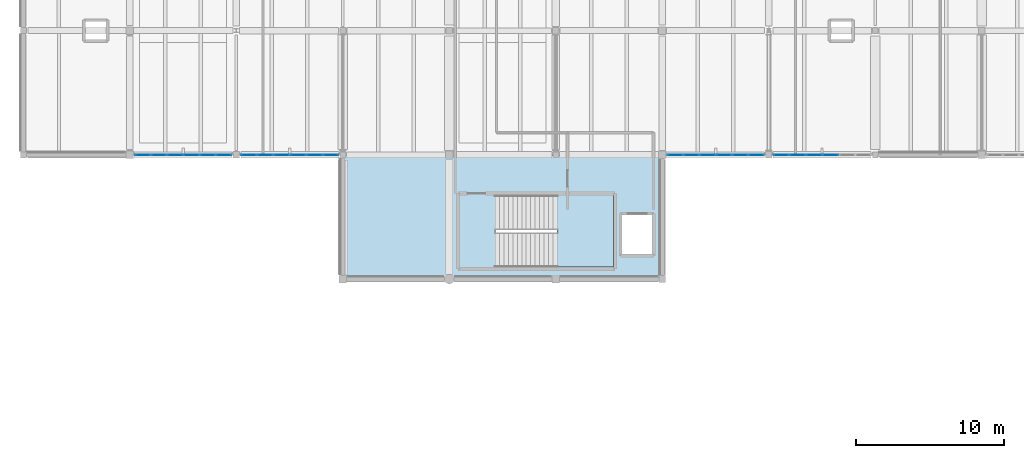
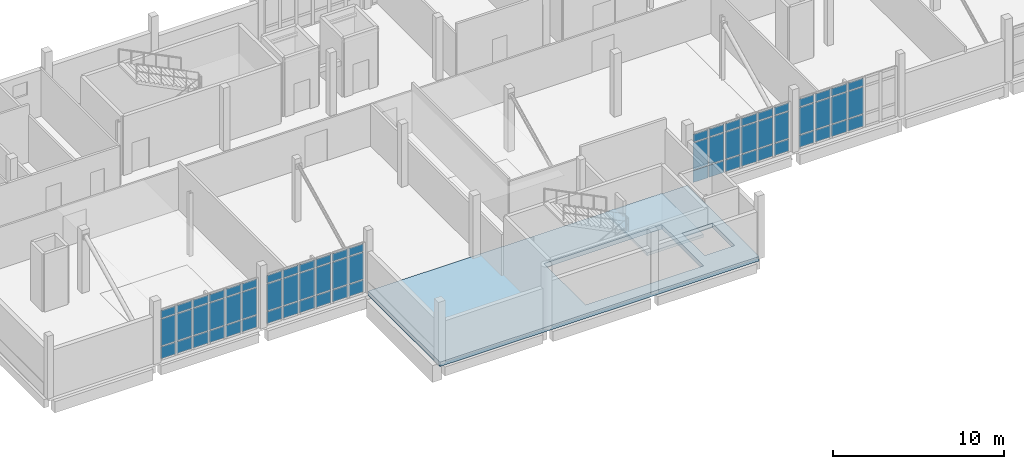
# One storey, part 22 of 34: 66 plates, 2 slabs, 5 elements without a shape of their own.
"""IFC4 building model written with IfcOpenShell, lengths in metres."""

from ifc_helpers import new_model, si_unit, direction, frame, origin, origin_2d, place, context, subcontext, project, spatial, polyline, rectangle, outline, extrude, material, layer, layer_set, type_object, element, aggregate, save


model = new_model("IFC4")

# Units and contexts
model_context = context("Model", 3, precision=1e-05, world=origin(), true_north=direction((0.0, 1.0)))
body_context = subcontext(model_context, "Body", "Model", "MODEL_VIEW")
ifc_project = project(units=[si_unit("LENGTHUNIT", "METRE"), si_unit("AREAUNIT", "SQUARE_METRE"), si_unit("VOLUMEUNIT", "CUBIC_METRE"), si_unit("PLANEANGLEUNIT", "RADIAN"), si_unit("MASSUNIT", "GRAM", prefix="KILO")], contexts=[model_context])

# Site, building, storey
site_placement = place(None, origin())
site = spatial("IfcSite", under=ifc_project, at=site_placement, CompositionType="ELEMENT")
building_placement = place(site_placement, origin())
building = spatial("IfcBuilding", under=site, at=building_placement, Name="Kalluvel Institute of Natural Sciences", CompositionType="ELEMENT")
storey_placement = place(building_placement, frame((0.0, 0.0, 36.89990234375)))
storey = spatial("IfcBuildingStorey", under=building, at=storey_placement, Name="L08", CompositionType="ELEMENT", Elevation=36.89990234375)

# Curtain wall, plates
ifc_material_1 = material(Name="Aluminium AW-6063 T6", Category="aluminium")
curtain_wall_type = type_object("IfcCurtainWallType", Name="CW-WET-45", PredefinedType="USERDEFINED", material=ifc_material_1)
curtain_wall_1_placement = place(storey_placement, origin())
curtain_wall_1 = element("IfcCurtainWall", 1, at=curtain_wall_1_placement, inside=storey, type_object=curtain_wall_type, Name="L08 Gothic lancet curtain wall CWA-L08-X215-Y1028", ObjectType="UNITISED LANCET FACADE", PredefinedType="USERDEFINED")
ifc_material_2 = material(Name="Solar-Control Low-E Laminated Glass", Category="glass")
ifc_layer_1 = layer(ifc_material_2, 0.0400390625)
ifc_layer_set_1 = layer_set([ifc_layer_1], Name="Solar-Control Low-E Laminated Glass")
plate_type = type_object("IfcPlateType", Name="CWP-SPN-40", PredefinedType="CURTAIN_PANEL", material=ifc_layer_set_1)
plate_1_placement = place(storey_placement, frame((22.069580078125, 102.800048828125, 0.0703125), z_axis=(0.0, 0.0, 1.0), x_axis=(1.0, 0.0, 0.0)))
plate_1 = element("IfcPlate", 2, at=plate_1_placement, type_object=plate_type, Name="CW-01 panel 1.1", PredefinedType="CURTAIN_PANEL", context=body_context, shape_type="SweptSolid", body=[
    extrude(rectangle(XDim=0.999267578125, YDim=0.0400390625, at=origin_2d()), origin(), (0.0, 0.0, 1.0), 0.844970703125),
])
plate_2_placement = place(storey_placement, frame((22.069580078125, 102.800048828125, 0.9853515625), z_axis=(0.0, 0.0, 1.0), x_axis=(1.0, 0.0, 0.0)))
plate_2 = element("IfcPlate", 3, at=plate_2_placement, type_object=plate_type, Name="CW-01 panel 1.2", PredefinedType="CURTAIN_PANEL", context=body_context, shape_type="SweptSolid", body=[
    extrude(rectangle(XDim=0.999267578125, YDim=0.0400390625, at=origin_2d()), origin(), (0.0, 0.0, 1.0), 1.909912109375),
])
plate_3_placement = place(storey_placement, frame((22.069580078125, 102.800048828125, 2.965087890625), z_axis=(0.0, 0.0, 1.0), x_axis=(1.0, 0.0, 0.0)))
plate_3 = element("IfcPlate", 4, at=plate_3_placement, type_object=plate_type, Name="CW-01 panel 1.3", PredefinedType="CURTAIN_PANEL", context=body_context, shape_type="SweptSolid", body=[
    extrude(rectangle(XDim=0.999267578125, YDim=0.0400390625, at=origin_2d()), origin(), (0.0, 0.0, 1.0), 0.544921875),
])
plate_4_placement = place(storey_placement, frame((23.15625, 102.800048828125, 0.0703125), z_axis=(0.0, 0.0, 1.0), x_axis=(1.0, 0.0, 0.0)))
plate_4 = element("IfcPlate", 5, at=plate_4_placement, type_object=plate_type, Name="CW-01 panel 2.1", PredefinedType="CURTAIN_PANEL", context=body_context, shape_type="SweptSolid", body=[
    extrude(rectangle(XDim=1.0341796875, YDim=0.0400390625, at=origin_2d()), origin(), (0.0, 0.0, 1.0), 0.844970703125),
])
plate_5_placement = place(storey_placement, frame((23.15625, 102.800048828125, 0.9853515625), z_axis=(0.0, 0.0, 1.0), x_axis=(1.0, 0.0, 0.0)))
plate_5 = element("IfcPlate", 6, at=plate_5_placement, type_object=plate_type, Name="CW-01 panel 2.2", PredefinedType="CURTAIN_PANEL", context=body_context, shape_type="SweptSolid", body=[
    extrude(rectangle(XDim=1.0341796875, YDim=0.0400390625, at=origin_2d()), origin(), (0.0, 0.0, 1.0), 1.909912109375),
])
plate_6_placement = place(storey_placement, frame((23.15625, 102.800048828125, 2.965087890625), z_axis=(0.0, 0.0, 1.0), x_axis=(1.0, 0.0, 0.0)))
plate_6 = element("IfcPlate", 7, at=plate_6_placement, type_object=plate_type, Name="CW-01 panel 2.3", PredefinedType="CURTAIN_PANEL", context=body_context, shape_type="SweptSolid", body=[
    extrude(rectangle(XDim=1.0341796875, YDim=0.0400390625, at=origin_2d()), origin(), (0.0, 0.0, 1.0), 0.544921875),
])
plate_7_placement = place(storey_placement, frame((24.260498046875, 102.800048828125, 0.0703125), z_axis=(0.0, 0.0, 1.0), x_axis=(1.0, 0.0, 0.0)))
plate_7 = element("IfcPlate", 8, at=plate_7_placement, type_object=plate_type, Name="CW-01 panel 3.1", PredefinedType="CURTAIN_PANEL", context=body_context, shape_type="SweptSolid", body=[
    extrude(rectangle(XDim=1.0341796875, YDim=0.0400390625, at=origin_2d()), origin(), (0.0, 0.0, 1.0), 0.844970703125),
])
plate_8_placement = place(storey_placement, frame((24.260498046875, 102.800048828125, 0.9853515625), z_axis=(0.0, 0.0, 1.0), x_axis=(1.0, 0.0, 0.0)))
plate_8 = element("IfcPlate", 9, at=plate_8_placement, type_object=plate_type, Name="CW-01 panel 3.2", PredefinedType="CURTAIN_PANEL", context=body_context, shape_type="SweptSolid", body=[
    extrude(rectangle(XDim=1.0341796875, YDim=0.0400390625, at=origin_2d()), origin(), (0.0, 0.0, 1.0), 1.909912109375),
])
plate_9_placement = place(storey_placement, frame((24.260498046875, 102.800048828125, 2.965087890625), z_axis=(0.0, 0.0, 1.0), x_axis=(1.0, 0.0, 0.0)))
plate_9 = element("IfcPlate", 10, at=plate_9_placement, type_object=plate_type, Name="CW-01 panel 3.3", PredefinedType="CURTAIN_PANEL", context=body_context, shape_type="SweptSolid", body=[
    extrude(rectangle(XDim=1.0341796875, YDim=0.0400390625, at=origin_2d()), origin(), (0.0, 0.0, 1.0), 0.544921875),
])
plate_10_placement = place(storey_placement, frame((25.364501953125, 102.800048828125, 0.0703125), z_axis=(0.0, 0.0, 1.0), x_axis=(1.0, 0.0, 0.0)))
plate_10 = element("IfcPlate", 11, at=plate_10_placement, type_object=plate_type, Name="CW-01 panel 4.1", PredefinedType="CURTAIN_PANEL", context=body_context, shape_type="SweptSolid", body=[
    extrude(rectangle(XDim=1.0341796875, YDim=0.0400390625, at=origin_2d()), origin(), (0.0, 0.0, 1.0), 0.844970703125),
])
plate_11_placement = place(storey_placement, frame((25.364501953125, 102.800048828125, 0.9853515625), z_axis=(0.0, 0.0, 1.0), x_axis=(1.0, 0.0, 0.0)))
plate_11 = element("IfcPlate", 12, at=plate_11_placement, type_object=plate_type, Name="CW-01 panel 4.2", PredefinedType="CURTAIN_PANEL", context=body_context, shape_type="SweptSolid", body=[
    extrude(rectangle(XDim=1.0341796875, YDim=0.0400390625, at=origin_2d()), origin(), (0.0, 0.0, 1.0), 1.909912109375),
])
plate_12_placement = place(storey_placement, frame((25.364501953125, 102.800048828125, 2.965087890625), z_axis=(0.0, 0.0, 1.0), x_axis=(1.0, 0.0, 0.0)))
plate_12 = element("IfcPlate", 13, at=plate_12_placement, type_object=plate_type, Name="CW-01 panel 4.3", PredefinedType="CURTAIN_PANEL", context=body_context, shape_type="SweptSolid", body=[
    extrude(rectangle(XDim=1.0341796875, YDim=0.0400390625, at=origin_2d()), origin(), (0.0, 0.0, 1.0), 0.544921875),
])
plate_13_placement = place(storey_placement, frame((26.46875, 102.800048828125, 0.0703125), z_axis=(0.0, 0.0, 1.0), x_axis=(1.0, 0.0, 0.0)))
plate_13 = element("IfcPlate", 14, at=plate_13_placement, type_object=plate_type, Name="CW-01 panel 5.1", PredefinedType="CURTAIN_PANEL", context=body_context, shape_type="SweptSolid", body=[
    extrude(rectangle(XDim=1.0341796875, YDim=0.0400390625, at=origin_2d()), origin(), (0.0, 0.0, 1.0), 0.844970703125),
])
plate_14_placement = place(storey_placement, frame((26.46875, 102.800048828125, 0.9853515625), z_axis=(0.0, 0.0, 1.0), x_axis=(1.0, 0.0, 0.0)))
plate_14 = element("IfcPlate", 15, at=plate_14_placement, type_object=plate_type, Name="CW-01 panel 5.2", PredefinedType="CURTAIN_PANEL", context=body_context, shape_type="SweptSolid", body=[
    extrude(rectangle(XDim=1.0341796875, YDim=0.0400390625, at=origin_2d()), origin(), (0.0, 0.0, 1.0), 1.909912109375),
])
plate_15_placement = place(storey_placement, frame((26.46875, 102.800048828125, 2.965087890625), z_axis=(0.0, 0.0, 1.0), x_axis=(1.0, 0.0, 0.0)))
plate_15 = element("IfcPlate", 16, at=plate_15_placement, type_object=plate_type, Name="CW-01 panel 5.3", PredefinedType="CURTAIN_PANEL", context=body_context, shape_type="SweptSolid", body=[
    extrude(rectangle(XDim=1.0341796875, YDim=0.0400390625, at=origin_2d()), origin(), (0.0, 0.0, 1.0), 0.544921875),
])
plate_16_placement = place(storey_placement, frame((27.555419921875, 102.800048828125, 0.0703125), z_axis=(0.0, 0.0, 1.0), x_axis=(1.0, 0.0, 0.0)))
plate_16 = element("IfcPlate", 17, at=plate_16_placement, type_object=plate_type, Name="CW-01 panel 6.1", PredefinedType="CURTAIN_PANEL", context=body_context, shape_type="SweptSolid", body=[
    extrude(rectangle(XDim=0.999267578125, YDim=0.0400390625, at=origin_2d()), origin(), (0.0, 0.0, 1.0), 0.844970703125),
])
plate_17_placement = place(storey_placement, frame((27.555419921875, 102.800048828125, 0.9853515625), z_axis=(0.0, 0.0, 1.0), x_axis=(1.0, 0.0, 0.0)))
plate_17 = element("IfcPlate", 18, at=plate_17_placement, type_object=plate_type, Name="CW-01 panel 6.2", PredefinedType="CURTAIN_PANEL", context=body_context, shape_type="SweptSolid", body=[
    extrude(rectangle(XDim=0.999267578125, YDim=0.0400390625, at=origin_2d()), origin(), (0.0, 0.0, 1.0), 1.909912109375),
])
plate_18_placement = place(storey_placement, frame((27.555419921875, 102.800048828125, 2.965087890625), z_axis=(0.0, 0.0, 1.0), x_axis=(1.0, 0.0, 0.0)))
plate_18 = element("IfcPlate", 19, at=plate_18_placement, type_object=plate_type, Name="CW-01 panel 6.3", PredefinedType="CURTAIN_PANEL", context=body_context, shape_type="SweptSolid", body=[
    extrude(rectangle(XDim=0.999267578125, YDim=0.0400390625, at=origin_2d()), origin(), (0.0, 0.0, 1.0), 0.544921875),
])
aggregate(curtain_wall_1, [plate_1, plate_2, plate_3, plate_4, plate_5, plate_6, plate_7, plate_8, plate_9, plate_10, plate_11, plate_12, plate_13, plate_14, plate_15, plate_16, plate_17, plate_18])

curtain_wall_2_placement = place(storey_placement, origin())
curtain_wall_2 = element("IfcCurtainWall", 20, at=curtain_wall_2_placement, inside=storey, type_object=curtain_wall_type, Name="L08 Gothic lancet curtain wall CWA-L08-X287-Y1028", ObjectType="UNITISED LANCET FACADE", PredefinedType="USERDEFINED")
plate_19_placement = place(storey_placement, frame((29.248779296875, 102.800048828125, 0.0703125), z_axis=(0.0, 0.0, 1.0), x_axis=(1.0, 0.0, 0.0)))
plate_19 = element("IfcPlate", 21, at=plate_19_placement, type_object=plate_type, Name="CW-01 panel 1.1", PredefinedType="CURTAIN_PANEL", context=body_context, shape_type="SweptSolid", body=[
    extrude(rectangle(XDim=1.007568359375, YDim=0.0400390625, at=origin_2d()), origin(), (0.0, 0.0, 1.0), 0.844970703125),
])
plate_20_placement = place(storey_placement, frame((29.248779296875, 102.800048828125, 0.9853515625), z_axis=(0.0, 0.0, 1.0), x_axis=(1.0, 0.0, 0.0)))
plate_20 = element("IfcPlate", 22, at=plate_20_placement, type_object=plate_type, Name="CW-01 panel 1.2", PredefinedType="CURTAIN_PANEL", context=body_context, shape_type="SweptSolid", body=[
    extrude(rectangle(XDim=1.007568359375, YDim=0.0400390625, at=origin_2d()), origin(), (0.0, 0.0, 1.0), 1.909912109375),
])
plate_21_placement = place(storey_placement, frame((29.248779296875, 102.800048828125, 2.965087890625), z_axis=(0.0, 0.0, 1.0), x_axis=(1.0, 0.0, 0.0)))
plate_21 = element("IfcPlate", 23, at=plate_21_placement, type_object=plate_type, Name="CW-01 panel 1.3", PredefinedType="CURTAIN_PANEL", context=body_context, shape_type="SweptSolid", body=[
    extrude(rectangle(XDim=1.007568359375, YDim=0.0400390625, at=origin_2d()), origin(), (0.0, 0.0, 1.0), 0.544921875),
])
plate_22_placement = place(storey_placement, frame((30.34375, 102.800048828125, 0.0703125), z_axis=(0.0, 0.0, 1.0), x_axis=(1.0, 0.0, 0.0)))
plate_22 = element("IfcPlate", 24, at=plate_22_placement, type_object=plate_type, Name="CW-01 panel 2.1", PredefinedType="CURTAIN_PANEL", context=body_context, shape_type="SweptSolid", body=[
    extrude(rectangle(XDim=1.04248046875, YDim=0.0400390625, at=origin_2d()), origin(), (0.0, 0.0, 1.0), 0.844970703125),
])
plate_23_placement = place(storey_placement, frame((30.34375, 102.800048828125, 0.9853515625), z_axis=(0.0, 0.0, 1.0), x_axis=(1.0, 0.0, 0.0)))
plate_23 = element("IfcPlate", 25, at=plate_23_placement, type_object=plate_type, Name="CW-01 panel 2.2", PredefinedType="CURTAIN_PANEL", context=body_context, shape_type="SweptSolid", body=[
    extrude(rectangle(XDim=1.04248046875, YDim=0.0400390625, at=origin_2d()), origin(), (0.0, 0.0, 1.0), 1.909912109375),
])
plate_24_placement = place(storey_placement, frame((30.34375, 102.800048828125, 2.965087890625), z_axis=(0.0, 0.0, 1.0), x_axis=(1.0, 0.0, 0.0)))
plate_24 = element("IfcPlate", 26, at=plate_24_placement, type_object=plate_type, Name="CW-01 panel 2.3", PredefinedType="CURTAIN_PANEL", context=body_context, shape_type="SweptSolid", body=[
    extrude(rectangle(XDim=1.04248046875, YDim=0.0400390625, at=origin_2d()), origin(), (0.0, 0.0, 1.0), 0.544921875),
])
plate_25_placement = place(storey_placement, frame((31.456298828125, 102.800048828125, 0.0703125), z_axis=(0.0, 0.0, 1.0), x_axis=(1.0, 0.0, 0.0)))
plate_25 = element("IfcPlate", 27, at=plate_25_placement, type_object=plate_type, Name="CW-01 panel 3.1", PredefinedType="CURTAIN_PANEL", context=body_context, shape_type="SweptSolid", body=[
    extrude(rectangle(XDim=1.04248046875, YDim=0.0400390625, at=origin_2d()), origin(), (0.0, 0.0, 1.0), 0.844970703125),
])
plate_26_placement = place(storey_placement, frame((31.456298828125, 102.800048828125, 0.9853515625), z_axis=(0.0, 0.0, 1.0), x_axis=(1.0, 0.0, 0.0)))
plate_26 = element("IfcPlate", 28, at=plate_26_placement, type_object=plate_type, Name="CW-01 panel 3.2", PredefinedType="CURTAIN_PANEL", context=body_context, shape_type="SweptSolid", body=[
    extrude(rectangle(XDim=1.04248046875, YDim=0.0400390625, at=origin_2d()), origin(), (0.0, 0.0, 1.0), 1.909912109375),
])
plate_27_placement = place(storey_placement, frame((31.456298828125, 102.800048828125, 2.965087890625), z_axis=(0.0, 0.0, 1.0), x_axis=(1.0, 0.0, 0.0)))
plate_27 = element("IfcPlate", 29, at=plate_27_placement, type_object=plate_type, Name="CW-01 panel 3.3", PredefinedType="CURTAIN_PANEL", context=body_context, shape_type="SweptSolid", body=[
    extrude(rectangle(XDim=1.04248046875, YDim=0.0400390625, at=origin_2d()), origin(), (0.0, 0.0, 1.0), 0.544921875),
])
plate_28_placement = place(storey_placement, frame((32.56884765625, 102.800048828125, 0.0703125), z_axis=(0.0, 0.0, 1.0), x_axis=(1.0, 0.0, 0.0)))
plate_28 = element("IfcPlate", 30, at=plate_28_placement, type_object=plate_type, Name="CW-01 panel 4.1", PredefinedType="CURTAIN_PANEL", context=body_context, shape_type="SweptSolid", body=[
    extrude(rectangle(XDim=1.04248046875, YDim=0.0400390625, at=origin_2d()), origin(), (0.0, 0.0, 1.0), 0.844970703125),
])
plate_29_placement = place(storey_placement, frame((32.56884765625, 102.800048828125, 0.9853515625), z_axis=(0.0, 0.0, 1.0), x_axis=(1.0, 0.0, 0.0)))
plate_29 = element("IfcPlate", 31, at=plate_29_placement, type_object=plate_type, Name="CW-01 panel 4.2", PredefinedType="CURTAIN_PANEL", context=body_context, shape_type="SweptSolid", body=[
    extrude(rectangle(XDim=1.04248046875, YDim=0.0400390625, at=origin_2d()), origin(), (0.0, 0.0, 1.0), 1.909912109375),
])
plate_30_placement = place(storey_placement, frame((32.56884765625, 102.800048828125, 2.965087890625), z_axis=(0.0, 0.0, 1.0), x_axis=(1.0, 0.0, 0.0)))
plate_30 = element("IfcPlate", 32, at=plate_30_placement, type_object=plate_type, Name="CW-01 panel 4.3", PredefinedType="CURTAIN_PANEL", context=body_context, shape_type="SweptSolid", body=[
    extrude(rectangle(XDim=1.04248046875, YDim=0.0400390625, at=origin_2d()), origin(), (0.0, 0.0, 1.0), 0.544921875),
])
plate_31_placement = place(storey_placement, frame((33.68115234375, 102.800048828125, 0.0703125), z_axis=(0.0, 0.0, 1.0), x_axis=(1.0, 0.0, 0.0)))
plate_31 = element("IfcPlate", 33, at=plate_31_placement, type_object=plate_type, Name="CW-01 panel 5.1", PredefinedType="CURTAIN_PANEL", context=body_context, shape_type="SweptSolid", body=[
    extrude(rectangle(XDim=1.04248046875, YDim=0.0400390625, at=origin_2d()), origin(), (0.0, 0.0, 1.0), 0.844970703125),
])
plate_32_placement = place(storey_placement, frame((33.68115234375, 102.800048828125, 0.9853515625), z_axis=(0.0, 0.0, 1.0), x_axis=(1.0, 0.0, 0.0)))
plate_32 = element("IfcPlate", 34, at=plate_32_placement, type_object=plate_type, Name="CW-01 panel 5.2", PredefinedType="CURTAIN_PANEL", context=body_context, shape_type="SweptSolid", body=[
    extrude(rectangle(XDim=1.04248046875, YDim=0.0400390625, at=origin_2d()), origin(), (0.0, 0.0, 1.0), 1.909912109375),
])
plate_33_placement = place(storey_placement, frame((33.68115234375, 102.800048828125, 2.965087890625), z_axis=(0.0, 0.0, 1.0), x_axis=(1.0, 0.0, 0.0)))
plate_33 = element("IfcPlate", 35, at=plate_33_placement, type_object=plate_type, Name="CW-01 panel 5.3", PredefinedType="CURTAIN_PANEL", context=body_context, shape_type="SweptSolid", body=[
    extrude(rectangle(XDim=1.04248046875, YDim=0.0400390625, at=origin_2d()), origin(), (0.0, 0.0, 1.0), 0.544921875),
])
plate_34_placement = place(storey_placement, frame((34.7763671875, 102.800048828125, 0.0703125), z_axis=(0.0, 0.0, 1.0), x_axis=(1.0, 0.0, 0.0)))
plate_34 = element("IfcPlate", 36, at=plate_34_placement, type_object=plate_type, Name="CW-01 panel 6.1", PredefinedType="CURTAIN_PANEL", context=body_context, shape_type="SweptSolid", body=[
    extrude(rectangle(XDim=1.007568359375, YDim=0.0400390625, at=origin_2d()), origin(), (0.0, 0.0, 1.0), 0.844970703125),
])
plate_35_placement = place(storey_placement, frame((34.7763671875, 102.800048828125, 0.9853515625), z_axis=(0.0, 0.0, 1.0), x_axis=(1.0, 0.0, 0.0)))
plate_35 = element("IfcPlate", 37, at=plate_35_placement, type_object=plate_type, Name="CW-01 panel 6.2", PredefinedType="CURTAIN_PANEL", context=body_context, shape_type="SweptSolid", body=[
    extrude(rectangle(XDim=1.007568359375, YDim=0.0400390625, at=origin_2d()), origin(), (0.0, 0.0, 1.0), 1.909912109375),
])
plate_36_placement = place(storey_placement, frame((34.7763671875, 102.800048828125, 2.965087890625), z_axis=(0.0, 0.0, 1.0), x_axis=(1.0, 0.0, 0.0)))
plate_36 = element("IfcPlate", 38, at=plate_36_placement, type_object=plate_type, Name="CW-01 panel 6.3", PredefinedType="CURTAIN_PANEL", context=body_context, shape_type="SweptSolid", body=[
    extrude(rectangle(XDim=1.007568359375, YDim=0.0400390625, at=origin_2d()), origin(), (0.0, 0.0, 1.0), 0.544921875),
])
aggregate(curtain_wall_2, [plate_19, plate_20, plate_21, plate_22, plate_23, plate_24, plate_25, plate_26, plate_27, plate_28, plate_29, plate_30, plate_31, plate_32, plate_33, plate_34, plate_35, plate_36])

curtain_wall_3_placement = place(storey_placement, origin())
curtain_wall_3 = element("IfcCurtainWall", 39, at=curtain_wall_3_placement, inside=storey, type_object=curtain_wall_type, Name="L08 Gothic lancet curtain wall CWA-L08-X575-Y1028", ObjectType="UNITISED LANCET FACADE", PredefinedType="USERDEFINED")
plate_37_placement = place(storey_placement, frame((58.069580078125, 102.800048828125, 0.0703125), z_axis=(0.0, 0.0, 1.0), x_axis=(1.0, 0.0, 0.0)))
plate_37 = element("IfcPlate", 40, at=plate_37_placement, type_object=plate_type, Name="CW-01 panel 1.1", PredefinedType="CURTAIN_PANEL", context=body_context, shape_type="SweptSolid", body=[
    extrude(rectangle(XDim=0.999267578125, YDim=0.0400390625, at=origin_2d()), origin(), (0.0, 0.0, 1.0), 0.844970703125),
])
plate_38_placement = place(storey_placement, frame((58.069580078125, 102.800048828125, 0.9853515625), z_axis=(0.0, 0.0, 1.0), x_axis=(1.0, 0.0, 0.0)))
plate_38 = element("IfcPlate", 41, at=plate_38_placement, type_object=plate_type, Name="CW-01 panel 1.2", PredefinedType="CURTAIN_PANEL", context=body_context, shape_type="SweptSolid", body=[
    extrude(rectangle(XDim=0.999267578125, YDim=0.0400390625, at=origin_2d()), origin(), (0.0, 0.0, 1.0), 1.909912109375),
])
plate_39_placement = place(storey_placement, frame((58.069580078125, 102.800048828125, 2.965087890625), z_axis=(0.0, 0.0, 1.0), x_axis=(1.0, 0.0, 0.0)))
plate_39 = element("IfcPlate", 42, at=plate_39_placement, type_object=plate_type, Name="CW-01 panel 1.3", PredefinedType="CURTAIN_PANEL", context=body_context, shape_type="SweptSolid", body=[
    extrude(rectangle(XDim=0.999267578125, YDim=0.0400390625, at=origin_2d()), origin(), (0.0, 0.0, 1.0), 0.544921875),
])
plate_40_placement = place(storey_placement, frame((59.15625, 102.800048828125, 0.0703125), z_axis=(0.0, 0.0, 1.0), x_axis=(1.0, 0.0, 0.0)))
plate_40 = element("IfcPlate", 43, at=plate_40_placement, type_object=plate_type, Name="CW-01 panel 2.1", PredefinedType="CURTAIN_PANEL", context=body_context, shape_type="SweptSolid", body=[
    extrude(rectangle(XDim=1.0341796875, YDim=0.0400390625, at=origin_2d()), origin(), (0.0, 0.0, 1.0), 0.844970703125),
])
plate_41_placement = place(storey_placement, frame((59.15625, 102.800048828125, 0.9853515625), z_axis=(0.0, 0.0, 1.0), x_axis=(1.0, 0.0, 0.0)))
plate_41 = element("IfcPlate", 44, at=plate_41_placement, type_object=plate_type, Name="CW-01 panel 2.2", PredefinedType="CURTAIN_PANEL", context=body_context, shape_type="SweptSolid", body=[
    extrude(rectangle(XDim=1.0341796875, YDim=0.0400390625, at=origin_2d()), origin(), (0.0, 0.0, 1.0), 1.909912109375),
])
plate_42_placement = place(storey_placement, frame((59.15625, 102.800048828125, 2.965087890625), z_axis=(0.0, 0.0, 1.0), x_axis=(1.0, 0.0, 0.0)))
plate_42 = element("IfcPlate", 45, at=plate_42_placement, type_object=plate_type, Name="CW-01 panel 2.3", PredefinedType="CURTAIN_PANEL", context=body_context, shape_type="SweptSolid", body=[
    extrude(rectangle(XDim=1.0341796875, YDim=0.0400390625, at=origin_2d()), origin(), (0.0, 0.0, 1.0), 0.544921875),
])
plate_43_placement = place(storey_placement, frame((60.260498046875, 102.800048828125, 0.0703125), z_axis=(0.0, 0.0, 1.0), x_axis=(1.0, 0.0, 0.0)))
plate_43 = element("IfcPlate", 46, at=plate_43_placement, type_object=plate_type, Name="CW-01 panel 3.1", PredefinedType="CURTAIN_PANEL", context=body_context, shape_type="SweptSolid", body=[
    extrude(rectangle(XDim=1.0341796875, YDim=0.0400390625, at=origin_2d()), origin(), (0.0, 0.0, 1.0), 0.844970703125),
])
plate_44_placement = place(storey_placement, frame((60.260498046875, 102.800048828125, 0.9853515625), z_axis=(0.0, 0.0, 1.0), x_axis=(1.0, 0.0, 0.0)))
plate_44 = element("IfcPlate", 47, at=plate_44_placement, type_object=plate_type, Name="CW-01 panel 3.2", PredefinedType="CURTAIN_PANEL", context=body_context, shape_type="SweptSolid", body=[
    extrude(rectangle(XDim=1.0341796875, YDim=0.0400390625, at=origin_2d()), origin(), (0.0, 0.0, 1.0), 1.909912109375),
])
plate_45_placement = place(storey_placement, frame((60.260498046875, 102.800048828125, 2.965087890625), z_axis=(0.0, 0.0, 1.0), x_axis=(1.0, 0.0, 0.0)))
plate_45 = element("IfcPlate", 48, at=plate_45_placement, type_object=plate_type, Name="CW-01 panel 3.3", PredefinedType="CURTAIN_PANEL", context=body_context, shape_type="SweptSolid", body=[
    extrude(rectangle(XDim=1.0341796875, YDim=0.0400390625, at=origin_2d()), origin(), (0.0, 0.0, 1.0), 0.544921875),
])
plate_46_placement = place(storey_placement, frame((61.364501953125, 102.800048828125, 0.0703125), z_axis=(0.0, 0.0, 1.0), x_axis=(1.0, 0.0, 0.0)))
plate_46 = element("IfcPlate", 49, at=plate_46_placement, type_object=plate_type, Name="CW-01 panel 4.1", PredefinedType="CURTAIN_PANEL", context=body_context, shape_type="SweptSolid", body=[
    extrude(rectangle(XDim=1.0341796875, YDim=0.0400390625, at=origin_2d()), origin(), (0.0, 0.0, 1.0), 0.844970703125),
])
plate_47_placement = place(storey_placement, frame((61.364501953125, 102.800048828125, 0.9853515625), z_axis=(0.0, 0.0, 1.0), x_axis=(1.0, 0.0, 0.0)))
plate_47 = element("IfcPlate", 50, at=plate_47_placement, type_object=plate_type, Name="CW-01 panel 4.2", PredefinedType="CURTAIN_PANEL", context=body_context, shape_type="SweptSolid", body=[
    extrude(rectangle(XDim=1.0341796875, YDim=0.0400390625, at=origin_2d()), origin(), (0.0, 0.0, 1.0), 1.909912109375),
])
plate_48_placement = place(storey_placement, frame((61.364501953125, 102.800048828125, 2.965087890625), z_axis=(0.0, 0.0, 1.0), x_axis=(1.0, 0.0, 0.0)))
plate_48 = element("IfcPlate", 51, at=plate_48_placement, type_object=plate_type, Name="CW-01 panel 4.3", PredefinedType="CURTAIN_PANEL", context=body_context, shape_type="SweptSolid", body=[
    extrude(rectangle(XDim=1.0341796875, YDim=0.0400390625, at=origin_2d()), origin(), (0.0, 0.0, 1.0), 0.544921875),
])
plate_49_placement = place(storey_placement, frame((62.46875, 102.800048828125, 0.0703125), z_axis=(0.0, 0.0, 1.0), x_axis=(1.0, 0.0, 0.0)))
plate_49 = element("IfcPlate", 52, at=plate_49_placement, type_object=plate_type, Name="CW-01 panel 5.1", PredefinedType="CURTAIN_PANEL", context=body_context, shape_type="SweptSolid", body=[
    extrude(rectangle(XDim=1.0341796875, YDim=0.0400390625, at=origin_2d()), origin(), (0.0, 0.0, 1.0), 0.844970703125),
])
plate_50_placement = place(storey_placement, frame((62.46875, 102.800048828125, 0.9853515625), z_axis=(0.0, 0.0, 1.0), x_axis=(1.0, 0.0, 0.0)))
plate_50 = element("IfcPlate", 53, at=plate_50_placement, type_object=plate_type, Name="CW-01 panel 5.2", PredefinedType="CURTAIN_PANEL", context=body_context, shape_type="SweptSolid", body=[
    extrude(rectangle(XDim=1.0341796875, YDim=0.0400390625, at=origin_2d()), origin(), (0.0, 0.0, 1.0), 1.909912109375),
])
plate_51_placement = place(storey_placement, frame((62.46875, 102.800048828125, 2.965087890625), z_axis=(0.0, 0.0, 1.0), x_axis=(1.0, 0.0, 0.0)))
plate_51 = element("IfcPlate", 54, at=plate_51_placement, type_object=plate_type, Name="CW-01 panel 5.3", PredefinedType="CURTAIN_PANEL", context=body_context, shape_type="SweptSolid", body=[
    extrude(rectangle(XDim=1.0341796875, YDim=0.0400390625, at=origin_2d()), origin(), (0.0, 0.0, 1.0), 0.544921875),
])
plate_52_placement = place(storey_placement, frame((63.555419921875, 102.800048828125, 0.0703125), z_axis=(0.0, 0.0, 1.0), x_axis=(1.0, 0.0, 0.0)))
plate_52 = element("IfcPlate", 55, at=plate_52_placement, type_object=plate_type, Name="CW-01 panel 6.1", PredefinedType="CURTAIN_PANEL", context=body_context, shape_type="SweptSolid", body=[
    extrude(rectangle(XDim=0.999267578125, YDim=0.0400390625, at=origin_2d()), origin(), (0.0, 0.0, 1.0), 0.844970703125),
])
plate_53_placement = place(storey_placement, frame((63.555419921875, 102.800048828125, 0.9853515625), z_axis=(0.0, 0.0, 1.0), x_axis=(1.0, 0.0, 0.0)))
plate_53 = element("IfcPlate", 56, at=plate_53_placement, type_object=plate_type, Name="CW-01 panel 6.2", PredefinedType="CURTAIN_PANEL", context=body_context, shape_type="SweptSolid", body=[
    extrude(rectangle(XDim=0.999267578125, YDim=0.0400390625, at=origin_2d()), origin(), (0.0, 0.0, 1.0), 1.909912109375),
])
plate_54_placement = place(storey_placement, frame((63.555419921875, 102.800048828125, 2.965087890625), z_axis=(0.0, 0.0, 1.0), x_axis=(1.0, 0.0, 0.0)))
plate_54 = element("IfcPlate", 57, at=plate_54_placement, type_object=plate_type, Name="CW-01 panel 6.3", PredefinedType="CURTAIN_PANEL", context=body_context, shape_type="SweptSolid", body=[
    extrude(rectangle(XDim=0.999267578125, YDim=0.0400390625, at=origin_2d()), origin(), (0.0, 0.0, 1.0), 0.544921875),
])
aggregate(curtain_wall_3, [plate_37, plate_38, plate_39, plate_40, plate_41, plate_42, plate_43, plate_44, plate_45, plate_46, plate_47, plate_48, plate_49, plate_50, plate_51, plate_52, plate_53, plate_54])

curtain_wall_4_placement = place(storey_placement, origin())
curtain_wall_4 = element("IfcCurtainWall", 58, at=curtain_wall_4_placement, inside=storey, type_object=curtain_wall_type, Name="L08 Gothic lancet curtain wall CWA-L08-X647-Y1028", ObjectType="UNITISED LANCET FACADE", PredefinedType="USERDEFINED")
plate_55_placement = place(storey_placement, frame((65.248779296875, 102.800048828125, 0.0703125), z_axis=(0.0, 0.0, 1.0), x_axis=(1.0, 0.0, 0.0)))
plate_55 = element("IfcPlate", 59, at=plate_55_placement, type_object=plate_type, Name="CW-01 panel 1.1", PredefinedType="CURTAIN_PANEL", context=body_context, shape_type="SweptSolid", body=[
    extrude(rectangle(XDim=1.007568359375, YDim=0.0400390625, at=origin_2d()), origin(), (0.0, 0.0, 1.0), 0.844970703125),
])
plate_56_placement = place(storey_placement, frame((65.248779296875, 102.800048828125, 0.9853515625), z_axis=(0.0, 0.0, 1.0), x_axis=(1.0, 0.0, 0.0)))
plate_56 = element("IfcPlate", 60, at=plate_56_placement, type_object=plate_type, Name="CW-01 panel 1.2", PredefinedType="CURTAIN_PANEL", context=body_context, shape_type="SweptSolid", body=[
    extrude(rectangle(XDim=1.007568359375, YDim=0.0400390625, at=origin_2d()), origin(), (0.0, 0.0, 1.0), 1.909912109375),
])
plate_57_placement = place(storey_placement, frame((65.248779296875, 102.800048828125, 2.965087890625), z_axis=(0.0, 0.0, 1.0), x_axis=(1.0, 0.0, 0.0)))
plate_57 = element("IfcPlate", 61, at=plate_57_placement, type_object=plate_type, Name="CW-01 panel 1.3", PredefinedType="CURTAIN_PANEL", context=body_context, shape_type="SweptSolid", body=[
    extrude(rectangle(XDim=1.007568359375, YDim=0.0400390625, at=origin_2d()), origin(), (0.0, 0.0, 1.0), 0.544921875),
])
plate_58_placement = place(storey_placement, frame((66.34375, 102.800048828125, 0.0703125), z_axis=(0.0, 0.0, 1.0), x_axis=(1.0, 0.0, 0.0)))
plate_58 = element("IfcPlate", 62, at=plate_58_placement, type_object=plate_type, Name="CW-01 panel 2.1", PredefinedType="CURTAIN_PANEL", context=body_context, shape_type="SweptSolid", body=[
    extrude(rectangle(XDim=1.04248046875, YDim=0.0400390625, at=origin_2d()), origin(), (0.0, 0.0, 1.0), 0.844970703125),
])
plate_59_placement = place(storey_placement, frame((66.34375, 102.800048828125, 0.9853515625), z_axis=(0.0, 0.0, 1.0), x_axis=(1.0, 0.0, 0.0)))
plate_59 = element("IfcPlate", 63, at=plate_59_placement, type_object=plate_type, Name="CW-01 panel 2.2", PredefinedType="CURTAIN_PANEL", context=body_context, shape_type="SweptSolid", body=[
    extrude(rectangle(XDim=1.04248046875, YDim=0.0400390625, at=origin_2d()), origin(), (0.0, 0.0, 1.0), 1.909912109375),
])
plate_60_placement = place(storey_placement, frame((66.34375, 102.800048828125, 2.965087890625), z_axis=(0.0, 0.0, 1.0), x_axis=(1.0, 0.0, 0.0)))
plate_60 = element("IfcPlate", 64, at=plate_60_placement, type_object=plate_type, Name="CW-01 panel 2.3", PredefinedType="CURTAIN_PANEL", context=body_context, shape_type="SweptSolid", body=[
    extrude(rectangle(XDim=1.04248046875, YDim=0.0400390625, at=origin_2d()), origin(), (0.0, 0.0, 1.0), 0.544921875),
])
plate_61_placement = place(storey_placement, frame((67.456298828125, 102.800048828125, 0.0703125), z_axis=(0.0, 0.0, 1.0), x_axis=(1.0, 0.0, 0.0)))
plate_61 = element("IfcPlate", 65, at=plate_61_placement, type_object=plate_type, Name="CW-01 panel 3.1", PredefinedType="CURTAIN_PANEL", context=body_context, shape_type="SweptSolid", body=[
    extrude(rectangle(XDim=1.04248046875, YDim=0.0400390625, at=origin_2d()), origin(), (0.0, 0.0, 1.0), 0.844970703125),
])
plate_62_placement = place(storey_placement, frame((67.456298828125, 102.800048828125, 0.9853515625), z_axis=(0.0, 0.0, 1.0), x_axis=(1.0, 0.0, 0.0)))
plate_62 = element("IfcPlate", 66, at=plate_62_placement, type_object=plate_type, Name="CW-01 panel 3.2", PredefinedType="CURTAIN_PANEL", context=body_context, shape_type="SweptSolid", body=[
    extrude(rectangle(XDim=1.04248046875, YDim=0.0400390625, at=origin_2d()), origin(), (0.0, 0.0, 1.0), 1.909912109375),
])
plate_63_placement = place(storey_placement, frame((67.456298828125, 102.800048828125, 2.965087890625), z_axis=(0.0, 0.0, 1.0), x_axis=(1.0, 0.0, 0.0)))
plate_63 = element("IfcPlate", 67, at=plate_63_placement, type_object=plate_type, Name="CW-01 panel 3.3", PredefinedType="CURTAIN_PANEL", context=body_context, shape_type="SweptSolid", body=[
    extrude(rectangle(XDim=1.04248046875, YDim=0.0400390625, at=origin_2d()), origin(), (0.0, 0.0, 1.0), 0.544921875),
])
plate_64_placement = place(storey_placement, frame((68.56884765625, 102.800048828125, 0.0703125), z_axis=(0.0, 0.0, 1.0), x_axis=(1.0, 0.0, 0.0)))
plate_64 = element("IfcPlate", 68, at=plate_64_placement, type_object=plate_type, Name="CW-01 panel 4.1", PredefinedType="CURTAIN_PANEL", context=body_context, shape_type="SweptSolid", body=[
    extrude(rectangle(XDim=1.04248046875, YDim=0.0400390625, at=origin_2d()), origin(), (0.0, 0.0, 1.0), 0.844970703125),
])
plate_65_placement = place(storey_placement, frame((68.56884765625, 102.800048828125, 0.9853515625), z_axis=(0.0, 0.0, 1.0), x_axis=(1.0, 0.0, 0.0)))
plate_65 = element("IfcPlate", 69, at=plate_65_placement, type_object=plate_type, Name="CW-01 panel 4.2", PredefinedType="CURTAIN_PANEL", context=body_context, shape_type="SweptSolid", body=[
    extrude(rectangle(XDim=1.04248046875, YDim=0.0400390625, at=origin_2d()), origin(), (0.0, 0.0, 1.0), 1.909912109375),
])
plate_66_placement = place(storey_placement, frame((68.56884765625, 102.800048828125, 2.965087890625), z_axis=(0.0, 0.0, 1.0), x_axis=(1.0, 0.0, 0.0)))
plate_66 = element("IfcPlate", 70, at=plate_66_placement, type_object=plate_type, Name="CW-01 panel 4.3", PredefinedType="CURTAIN_PANEL", context=body_context, shape_type="SweptSolid", body=[
    extrude(rectangle(XDim=1.04248046875, YDim=0.0400390625, at=origin_2d()), origin(), (0.0, 0.0, 1.0), 0.544921875),
])
aggregate(curtain_wall_4, [plate_55, plate_56, plate_57, plate_58, plate_59, plate_60, plate_61, plate_62, plate_63, plate_64, plate_65, plate_66])

# Slab
ifc_material_3 = material(Name="Concrete M40", Category="concrete")
ifc_layer_2 = layer(ifc_material_3, 0.320068359375)
ifc_layer_set_2 = layer_set([ifc_layer_2], Name="Concrete M40")
slab_type_1 = type_object("IfcSlabType", Name="SLB-WET-320", PredefinedType="FLOOR", material=ifc_layer_set_2)
slab_1_placement = place(storey_placement, frame((0.0, 0.0, -0.31982421875)))
element("IfcSlab", 71, at=slab_1_placement, inside=storey, type_object=slab_type_1, Name="L08 Fire-Tower Knuckle Lobby Slab", PredefinedType="FLOOR", context=body_context, shape_type="SweptSolid", body=[
    extrude(outline(polyline([(35.60009765625, 94.39990234375), (57.199951171875, 94.39990234375), (57.199951171875, 102.800048828125), (35.60009765625, 102.800048828125), (35.60009765625, 94.39990234375)]), holes=[polyline([(54.47998046875, 98.719970703125), (56.52001953125, 98.719970703125), (56.52001953125, 96.080078125), (54.47998046875, 96.080078125), (54.47998046875, 98.719970703125)]), polyline([(45.91796875, 100.070068359375), (53.89990234375, 100.070068359375), (53.89990234375, 95.199951171875), (45.91796875, 95.199951171875), (45.91796875, 100.070068359375)])]), origin(), (0.0, 0.0, 1.0), 0.31982421875),
])

# Stair, slab
stair_type = type_object("IfcStairType", Name="STR-ST3-45", PredefinedType="HALF_TURN_STAIR", material=ifc_material_3)
stair_placement = place(storey_placement, origin())
stair = element("IfcStair", 72, at=stair_placement, inside=storey, type_object=stair_type, Name="L08 Central Fire-Tower Protected Stair ST3", PredefinedType="HALF_TURN_STAIR")
ifc_layer_3 = layer(ifc_material_3, 0.199951171875)
ifc_layer_set_3 = layer_set([ifc_layer_3], Name="Concrete M40")
slab_type_2 = type_object("IfcSlabType", Name="SLD-ST3", PredefinedType="LANDING", material=ifc_layer_set_3)
slab_2_placement = place(storey_placement, frame((0.0, 0.0, 2.050048828125)))
slab_2 = element("IfcSlab", 73, at=slab_2_placement, type_object=slab_type_2, Name="S3-45 landing 1", PredefinedType="LANDING", context=body_context, shape_type="SweptSolid", body=[
    extrude(outline(polyline([(50.08203125, 95.199951171875), (53.89990234375, 95.199951171875), (53.89990234375, 100.070068359375), (50.08203125, 100.070068359375), (50.08203125, 95.199951171875)])), origin(), (0.0, 0.0, 1.0), 0.199951171875),
])
aggregate(stair, [slab_2])

save(model, "model.ifc")
